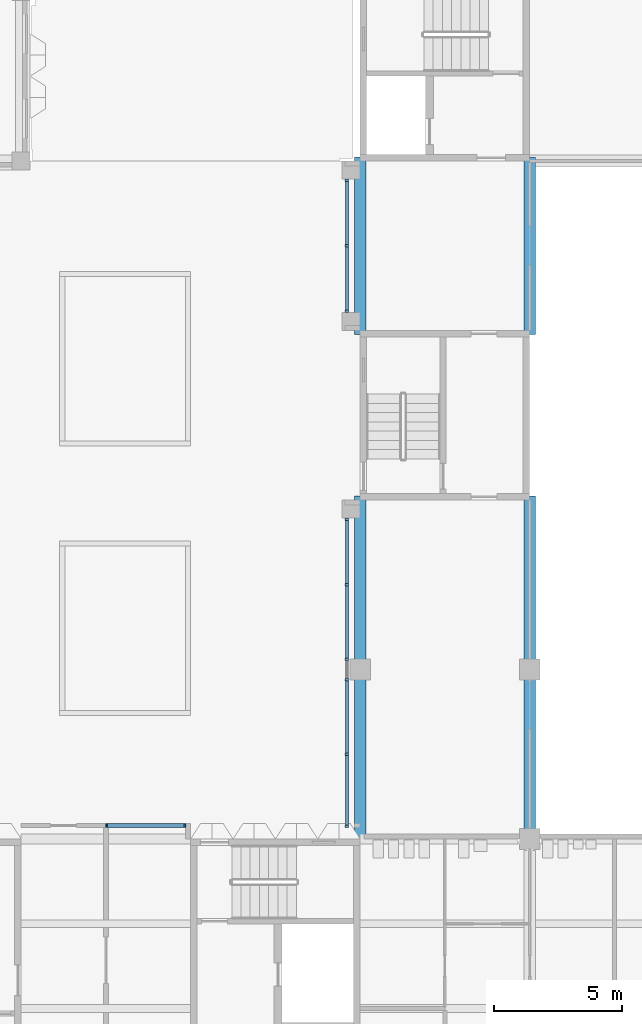
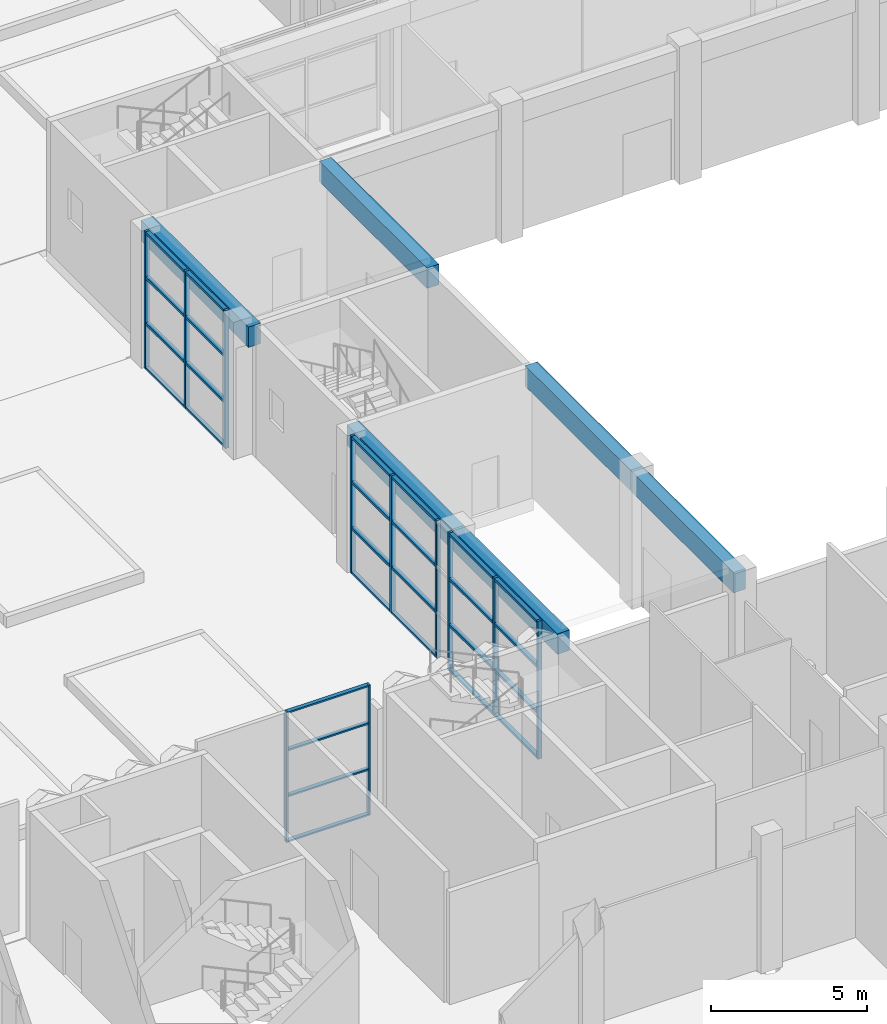
# One storey, part 8 of 85: 39 members, 6 beams, 3 elements without a shape of their own.
"""IFC4 building model written with IfcOpenShell, lengths in metres."""

from ifc_helpers import new_model, si_unit, direction, frame, origin, origin_2d, place, context, subcontext, project, spatial, rectangle, extrude, material, material_profile, profile_set, type_object, element, aggregate, save


model = new_model("IFC4")

# Units and contexts
model_context = context("Model", 3, precision=1e-05, world=origin(), true_north=direction((0.0, 1.0)))
body_context = subcontext(model_context, "Body", "Model", "MODEL_VIEW")
ifc_project = project(units=[si_unit("LENGTHUNIT", "METRE"), si_unit("AREAUNIT", "SQUARE_METRE"), si_unit("VOLUMEUNIT", "CUBIC_METRE"), si_unit("PLANEANGLEUNIT", "RADIAN"), si_unit("MASSUNIT", "GRAM", prefix="KILO")], contexts=[model_context])

# Site, building, storey
site_placement = place(None, origin())
site = spatial("IfcSite", under=ifc_project, at=site_placement, CompositionType="ELEMENT")
building_placement = place(site_placement, origin())
building = spatial("IfcBuilding", under=site, at=building_placement, Name="Lantern Court Research Institute", CompositionType="ELEMENT")
storey_placement = place(building_placement, origin())
storey = spatial("IfcBuildingStorey", under=building, at=storey_placement, Name="L00", CompositionType="ELEMENT", Elevation=0.0)

# Beams
ifc_material_1 = material(Name="Concrete C40/50", Category="concrete")
ifc_material_profile_1 = material_profile(ifc_material_1, rectangle(XDim=0.449951171875, YDim=0.800048828125, at=origin_2d()), Name="Hall beam 450 x 800")
ifc_profile_set_1 = profile_set([ifc_material_profile_1], Name="Concrete C40/50")
beam_type = type_object("IfcBeamType", Name="Hall beam 450 x 800", PredefinedType="BEAM", material=ifc_profile_set_1)
for number, where, z_axis, x_axis, name in (
    (1, (39.60009765625, 22.949951171875, 4.75), (0.0, 1.0, 0.0), (-1.0, 0.0, 0.0), "Gallery beam L01"),
    (2, (39.60009765625, 29.699951171875, 4.75), (0.0, 1.0, 0.0), (-1.0, 0.0, 0.0), "Gallery beam L01"),
):
    element("IfcBeam", number, at=place(storey_placement, frame(where, z_axis=z_axis, x_axis=x_axis)), inside=storey, type_object=beam_type, Name=name, PredefinedType="BEAM", context=body_context, shape_type="SweptSolid", body=[
        extrude(rectangle(XDim=0.449951171875, YDim=0.800048828125, at=origin_2d()), origin(), (0.0, 0.0, 1.0), 6.75),
    ])
beam_1_placement = place(storey_placement, frame((39.60009765625, 42.75, 4.75), z_axis=(0.0, 1.0, 0.0), x_axis=(-1.0, 0.0, 0.0)))
element("IfcBeam", 3, at=beam_1_placement, inside=storey, type_object=beam_type, Name="Gallery beam L01", PredefinedType="BEAM", context=body_context, shape_type="SweptSolid", body=[
    extrude(rectangle(XDim=0.449951171875, YDim=0.800048828125, at=origin_2d()), origin(), (0.0, 0.0, 1.0), 6.89990234375),
])
beam_2_placement = place(storey_placement, frame((46.199951171875, 23.10009765625, 4.75), z_axis=(0.0, 1.0, 0.0), x_axis=(-1.0, 0.0, 0.0)))
element("IfcBeam", 4, at=beam_2_placement, inside=storey, type_object=beam_type, Name="Gallery beam L01", PredefinedType="BEAM", context=body_context, shape_type="SweptSolid", body=[
    extrude(rectangle(XDim=0.449951171875, YDim=0.800048828125, at=origin_2d()), origin(), (0.0, 0.0, 1.0), 6.599853515625),
])
beam_3_placement = place(storey_placement, frame((46.199951171875, 29.699951171875, 4.75), z_axis=(0.0, 1.0, 0.0), x_axis=(-1.0, 0.0, 0.0)))
element("IfcBeam", 5, at=beam_3_placement, inside=storey, type_object=beam_type, Name="Gallery beam L01", PredefinedType="BEAM", context=body_context, shape_type="SweptSolid", body=[
    extrude(rectangle(XDim=0.449951171875, YDim=0.800048828125, at=origin_2d()), origin(), (0.0, 0.0, 1.0), 6.75),
])
beam_4_placement = place(storey_placement, frame((46.199951171875, 42.75, 4.75), z_axis=(0.0, 1.0, 0.0), x_axis=(-1.0, 0.0, 0.0)))
element("IfcBeam", 6, at=beam_4_placement, inside=storey, type_object=beam_type, Name="Gallery beam L01", PredefinedType="BEAM", context=body_context, shape_type="SweptSolid", body=[
    extrude(rectangle(XDim=0.449951171875, YDim=0.800048828125, at=origin_2d()), origin(), (0.0, 0.0, 1.0), 6.89990234375),
])

# Curtain wall, members
ifc_material_2 = material(Name="Aluminium alloy 6063-T6", Category="aluminium")
curtain_wall_type_1 = type_object("IfcCurtainWallType", Name="Curtain wall 12050 x 5400 x 150 aluminium frame", PredefinedType="NOTDEFINED", material=ifc_material_2)
curtain_wall_1_placement = place(storey_placement, origin())
curtain_wall_1 = element("IfcCurtainWall", 7, at=curtain_wall_1_placement, inside=storey, type_object=curtain_wall_type_1, Name="Curtain wall CW004", PredefinedType="NOTDEFINED")
ifc_material_3 = material(Name="Aluminium alloy 6063-T6", Category="aluminium")
ifc_material_profile_2 = material_profile(ifc_material_3, rectangle(XDim=0.14990234375, YDim=0.10009765625, at=origin_2d()), Name="Mullion 150 x 100")
ifc_profile_set_2 = profile_set([ifc_material_profile_2], Name="Aluminium alloy 6063-T6")
member_type_1 = type_object("IfcMemberType", Name="Mullion 150 x 100 aluminium", PredefinedType="MULLION", material=ifc_profile_set_2)
member_1_placement = place(storey_placement, frame((39.074951171875, 23.60009765625, 0.0), z_axis=(0.0, 0.0, 1.0), x_axis=(-1.0, 0.0, 0.0)))
member_1 = element("IfcMember", 8, at=member_1_placement, type_object=member_type_1, Name="CW004 mullion 1", PredefinedType="MULLION", context=body_context, shape_type="SweptSolid", body=[
    extrude(rectangle(XDim=0.14990234375, YDim=0.10009765625, at=origin_2d()), origin(), (0.0, 0.0, 1.0), 5.39990234375),
])
member_2_placement = place(storey_placement, frame((39.074951171875, 26.39990234375, 0.0), z_axis=(0.0, 0.0, 1.0), x_axis=(-1.0, 0.0, 0.0)))
member_2 = element("IfcMember", 9, at=member_2_placement, type_object=member_type_1, Name="CW004 mullion 2", PredefinedType="MULLION", context=body_context, shape_type="SweptSolid", body=[
    extrude(rectangle(XDim=0.14990234375, YDim=0.10009765625, at=origin_2d()), origin(), (0.0, 0.0, 1.0), 5.39990234375),
])
member_3_placement = place(storey_placement, frame((39.074951171875, 29.300048828125, 0.0), z_axis=(0.0, 0.0, 1.0), x_axis=(-1.0, 0.0, 0.0)))
member_3 = element("IfcMember", 10, at=member_3_placement, type_object=member_type_1, Name="CW004 mullion 3", PredefinedType="MULLION", context=body_context, shape_type="SweptSolid", body=[
    extrude(rectangle(XDim=0.14990234375, YDim=0.10009765625, at=origin_2d()), origin(), (0.0, 0.0, 1.0), 5.39990234375),
])
member_4_placement = place(storey_placement, frame((39.074951171875, 30.10009765625, 0.0), z_axis=(0.0, 0.0, 1.0), x_axis=(-1.0, 0.0, 0.0)))
member_4 = element("IfcMember", 11, at=member_4_placement, type_object=member_type_1, Name="CW004 mullion 4", PredefinedType="MULLION", context=body_context, shape_type="SweptSolid", body=[
    extrude(rectangle(XDim=0.14990234375, YDim=0.10009765625, at=origin_2d()), origin(), (0.0, 0.0, 1.0), 5.39990234375),
])
member_5_placement = place(storey_placement, frame((39.074951171875, 33.0, 0.0), z_axis=(0.0, 0.0, 1.0), x_axis=(-1.0, 0.0, 0.0)))
member_5 = element("IfcMember", 12, at=member_5_placement, type_object=member_type_1, Name="CW004 mullion 5", PredefinedType="MULLION", context=body_context, shape_type="SweptSolid", body=[
    extrude(rectangle(XDim=0.14990234375, YDim=0.10009765625, at=origin_2d()), origin(), (0.0, 0.0, 1.0), 5.39990234375),
])
member_6_placement = place(storey_placement, frame((39.074951171875, 35.550048828125, 0.0), z_axis=(0.0, 0.0, 1.0), x_axis=(-1.0, 0.0, 0.0)))
member_6 = element("IfcMember", 13, at=member_6_placement, type_object=member_type_1, Name="CW004 mullion 6", PredefinedType="MULLION", context=body_context, shape_type="SweptSolid", body=[
    extrude(rectangle(XDim=0.14990234375, YDim=0.10009765625, at=origin_2d()), origin(), (0.0, 0.0, 1.0), 5.39990234375),
])

ifc_material_4 = material(Name="Aluminium alloy 6063-T6", Category="aluminium")
curtain_wall_type_2 = type_object("IfcCurtainWallType", Name="Curtain wall 5200 x 5400 x 150 aluminium frame", PredefinedType="NOTDEFINED", material=ifc_material_4)
curtain_wall_2_placement = place(storey_placement, origin())
curtain_wall_2 = element("IfcCurtainWall", 14, at=curtain_wall_2_placement, inside=storey, type_object=curtain_wall_type_2, Name="Curtain wall CW005", PredefinedType="NOTDEFINED")
member_7_placement = place(storey_placement, frame((39.074951171875, 43.64990234375, 0.0), z_axis=(0.0, 0.0, 1.0), x_axis=(-1.0, 0.0, 0.0)))
member_7 = element("IfcMember", 15, at=member_7_placement, type_object=member_type_1, Name="CW005 mullion 1", PredefinedType="MULLION", context=body_context, shape_type="SweptSolid", body=[
    extrude(rectangle(XDim=0.14990234375, YDim=0.10009765625, at=origin_2d()), origin(), (0.0, 0.0, 1.0), 5.39990234375),
])
member_8_placement = place(storey_placement, frame((39.074951171875, 46.199951171875, 0.0), z_axis=(0.0, 0.0, 1.0), x_axis=(-1.0, 0.0, 0.0)))
member_8 = element("IfcMember", 16, at=member_8_placement, type_object=member_type_1, Name="CW005 mullion 2", PredefinedType="MULLION", context=body_context, shape_type="SweptSolid", body=[
    extrude(rectangle(XDim=0.14990234375, YDim=0.10009765625, at=origin_2d()), origin(), (0.0, 0.0, 1.0), 5.39990234375),
])
member_9_placement = place(storey_placement, frame((39.074951171875, 48.75, 0.0), z_axis=(0.0, 0.0, 1.0), x_axis=(-1.0, 0.0, 0.0)))
member_9 = element("IfcMember", 17, at=member_9_placement, type_object=member_type_1, Name="CW005 mullion 3", PredefinedType="MULLION", context=body_context, shape_type="SweptSolid", body=[
    extrude(rectangle(XDim=0.14990234375, YDim=0.10009765625, at=origin_2d()), origin(), (0.0, 0.0, 1.0), 5.39990234375),
])

ifc_material_5 = material(Name="Aluminium alloy 6063-T6", Category="aluminium")
curtain_wall_type_3 = type_object("IfcCurtainWallType", Name="Curtain wall 3100 x 5100 x 150 aluminium frame", PredefinedType="NOTDEFINED", material=ifc_material_5)
curtain_wall_3_placement = place(storey_placement, origin())
curtain_wall_3 = element("IfcCurtainWall", 18, at=curtain_wall_3_placement, inside=storey, type_object=curtain_wall_type_3, Name="Curtain wall CW007", PredefinedType="NOTDEFINED")
ifc_material_6 = material(Name="Aluminium alloy 6063-T6", Category="aluminium")
ifc_material_profile_3 = material_profile(ifc_material_6, rectangle(XDim=0.14990234375, YDim=0.06005859375, at=origin_2d()), Name="Mullion 150 x 60")
ifc_profile_set_3 = profile_set([ifc_material_profile_3], Name="Aluminium alloy 6063-T6")
member_type_2 = type_object("IfcMemberType", Name="Mullion 150 x 60 aluminium", PredefinedType="MULLION", material=ifc_profile_set_3)
member_10_placement = place(storey_placement, frame((29.72998046875, 23.625, 0.0), z_axis=(0.0, 0.0, 1.0), x_axis=(0.0, 1.0, 0.0)))
member_10 = element("IfcMember", 19, at=member_10_placement, type_object=member_type_2, Name="CW007 mullion 1", PredefinedType="MULLION", context=body_context, shape_type="SweptSolid", body=[
    extrude(rectangle(XDim=0.14990234375, YDim=0.06005859375, at=origin_2d()), origin(), (0.0, 0.0, 1.0), 5.10009765625),
])
member_11_placement = place(storey_placement, frame((32.77001953125, 23.625, 0.0), z_axis=(0.0, 0.0, 1.0), x_axis=(0.0, 1.0, 0.0)))
member_11 = element("IfcMember", 20, at=member_11_placement, type_object=member_type_2, Name="CW007 mullion 2", PredefinedType="MULLION", context=body_context, shape_type="SweptSolid", body=[
    extrude(rectangle(XDim=0.14990234375, YDim=0.06005859375, at=origin_2d()), origin(), (0.0, 0.0, 1.0), 5.10009765625),
])

# Member
ifc_material_7 = material(Name="Aluminium alloy 6063-T6", Category="aluminium")
ifc_material_profile_4 = material_profile(ifc_material_7, rectangle(XDim=0.14990234375, YDim=0.10009765625, at=origin_2d()), Name="Transom 150 x 100")
ifc_profile_set_4 = profile_set([ifc_material_profile_4], Name="Aluminium alloy 6063-T6")
member_type_3 = type_object("IfcMemberType", Name="Transom 150 x 100 aluminium", PredefinedType="USERDEFINED", material=ifc_profile_set_4)
member_12_placement = place(storey_placement, frame((39.074951171875, 23.64990234375, 0.050048828125), z_axis=(0.0, 1.0, 0.0), x_axis=(-1.0, 0.0, 0.0)))
member_12 = element("IfcMember", 21, at=member_12_placement, type_object=member_type_3, Name="CW004 transom 1.1", ObjectType="TRANSOM", PredefinedType="USERDEFINED", context=body_context, shape_type="SweptSolid", body=[
    extrude(rectangle(XDim=0.14990234375, YDim=0.10009765625, at=origin_2d()), origin(), (0.0, 0.0, 1.0), 2.7001953125),
])

member_13_placement = place(storey_placement, frame((39.074951171875, 23.64990234375, 1.800048828125), z_axis=(0.0, 1.0, 0.0), x_axis=(-1.0, 0.0, 0.0)))
member_13 = element("IfcMember", 22, at=member_13_placement, type_object=member_type_3, Name="CW004 transom 1.2", ObjectType="TRANSOM", PredefinedType="USERDEFINED", context=body_context, shape_type="SweptSolid", body=[
    extrude(rectangle(XDim=0.14990234375, YDim=0.10009765625, at=origin_2d()), origin(), (0.0, 0.0, 1.0), 2.7001953125),
])

member_14_placement = place(storey_placement, frame((39.074951171875, 23.64990234375, 3.60009765625), z_axis=(0.0, 1.0, 0.0), x_axis=(-1.0, 0.0, 0.0)))
member_14 = element("IfcMember", 23, at=member_14_placement, type_object=member_type_3, Name="CW004 transom 1.3", ObjectType="TRANSOM", PredefinedType="USERDEFINED", context=body_context, shape_type="SweptSolid", body=[
    extrude(rectangle(XDim=0.14990234375, YDim=0.10009765625, at=origin_2d()), origin(), (0.0, 0.0, 1.0), 2.7001953125),
])

member_15_placement = place(storey_placement, frame((39.074951171875, 23.64990234375, 5.35009765625), z_axis=(0.0, 1.0, 0.0), x_axis=(-1.0, 0.0, 0.0)))
member_15 = element("IfcMember", 24, at=member_15_placement, type_object=member_type_3, Name="CW004 transom 1.4", ObjectType="TRANSOM", PredefinedType="USERDEFINED", context=body_context, shape_type="SweptSolid", body=[
    extrude(rectangle(XDim=0.14990234375, YDim=0.10009765625, at=origin_2d()), origin(), (0.0, 0.0, 1.0), 2.7001953125),
])

member_16_placement = place(storey_placement, frame((39.074951171875, 26.449951171875, 0.050048828125), z_axis=(0.0, 1.0, 0.0), x_axis=(-1.0, 0.0, 0.0)))
member_16 = element("IfcMember", 25, at=member_16_placement, type_object=member_type_3, Name="CW004 transom 2.1", ObjectType="TRANSOM", PredefinedType="USERDEFINED", context=body_context, shape_type="SweptSolid", body=[
    extrude(rectangle(XDim=0.14990234375, YDim=0.10009765625, at=origin_2d()), origin(), (0.0, 0.0, 1.0), 2.800048828125),
])

member_17_placement = place(storey_placement, frame((39.074951171875, 26.449951171875, 1.800048828125), z_axis=(0.0, 1.0, 0.0), x_axis=(-1.0, 0.0, 0.0)))
member_17 = element("IfcMember", 26, at=member_17_placement, type_object=member_type_3, Name="CW004 transom 2.2", ObjectType="TRANSOM", PredefinedType="USERDEFINED", context=body_context, shape_type="SweptSolid", body=[
    extrude(rectangle(XDim=0.14990234375, YDim=0.10009765625, at=origin_2d()), origin(), (0.0, 0.0, 1.0), 2.800048828125),
])

member_18_placement = place(storey_placement, frame((39.074951171875, 26.449951171875, 3.60009765625), z_axis=(0.0, 1.0, 0.0), x_axis=(-1.0, 0.0, 0.0)))
member_18 = element("IfcMember", 27, at=member_18_placement, type_object=member_type_3, Name="CW004 transom 2.3", ObjectType="TRANSOM", PredefinedType="USERDEFINED", context=body_context, shape_type="SweptSolid", body=[
    extrude(rectangle(XDim=0.14990234375, YDim=0.10009765625, at=origin_2d()), origin(), (0.0, 0.0, 1.0), 2.800048828125),
])

member_19_placement = place(storey_placement, frame((39.074951171875, 26.449951171875, 5.35009765625), z_axis=(0.0, 1.0, 0.0), x_axis=(-1.0, 0.0, 0.0)))
member_19 = element("IfcMember", 28, at=member_19_placement, type_object=member_type_3, Name="CW004 transom 2.4", ObjectType="TRANSOM", PredefinedType="USERDEFINED", context=body_context, shape_type="SweptSolid", body=[
    extrude(rectangle(XDim=0.14990234375, YDim=0.10009765625, at=origin_2d()), origin(), (0.0, 0.0, 1.0), 2.800048828125),
])

member_20_placement = place(storey_placement, frame((39.074951171875, 30.14990234375, 0.050048828125), z_axis=(0.0, 1.0, 0.0), x_axis=(-1.0, 0.0, 0.0)))
member_20 = element("IfcMember", 29, at=member_20_placement, type_object=member_type_3, Name="CW004 transom 4.1", ObjectType="TRANSOM", PredefinedType="USERDEFINED", context=body_context, shape_type="SweptSolid", body=[
    extrude(rectangle(XDim=0.14990234375, YDim=0.10009765625, at=origin_2d()), origin(), (0.0, 0.0, 1.0), 2.800048828125),
])

member_21_placement = place(storey_placement, frame((39.074951171875, 30.14990234375, 1.800048828125), z_axis=(0.0, 1.0, 0.0), x_axis=(-1.0, 0.0, 0.0)))
member_21 = element("IfcMember", 30, at=member_21_placement, type_object=member_type_3, Name="CW004 transom 4.2", ObjectType="TRANSOM", PredefinedType="USERDEFINED", context=body_context, shape_type="SweptSolid", body=[
    extrude(rectangle(XDim=0.14990234375, YDim=0.10009765625, at=origin_2d()), origin(), (0.0, 0.0, 1.0), 2.800048828125),
])

member_22_placement = place(storey_placement, frame((39.074951171875, 30.14990234375, 3.60009765625), z_axis=(0.0, 1.0, 0.0), x_axis=(-1.0, 0.0, 0.0)))
member_22 = element("IfcMember", 31, at=member_22_placement, type_object=member_type_3, Name="CW004 transom 4.3", ObjectType="TRANSOM", PredefinedType="USERDEFINED", context=body_context, shape_type="SweptSolid", body=[
    extrude(rectangle(XDim=0.14990234375, YDim=0.10009765625, at=origin_2d()), origin(), (0.0, 0.0, 1.0), 2.800048828125),
])

member_23_placement = place(storey_placement, frame((39.074951171875, 30.14990234375, 5.35009765625), z_axis=(0.0, 1.0, 0.0), x_axis=(-1.0, 0.0, 0.0)))
member_23 = element("IfcMember", 32, at=member_23_placement, type_object=member_type_3, Name="CW004 transom 4.4", ObjectType="TRANSOM", PredefinedType="USERDEFINED", context=body_context, shape_type="SweptSolid", body=[
    extrude(rectangle(XDim=0.14990234375, YDim=0.10009765625, at=origin_2d()), origin(), (0.0, 0.0, 1.0), 2.800048828125),
])

member_24_placement = place(storey_placement, frame((39.074951171875, 33.050048828125, 0.050048828125), z_axis=(0.0, 1.0, 0.0), x_axis=(-1.0, 0.0, 0.0)))
member_24 = element("IfcMember", 33, at=member_24_placement, type_object=member_type_3, Name="CW004 transom 5.1", ObjectType="TRANSOM", PredefinedType="USERDEFINED", context=body_context, shape_type="SweptSolid", body=[
    extrude(rectangle(XDim=0.14990234375, YDim=0.10009765625, at=origin_2d()), origin(), (0.0, 0.0, 1.0), 2.449951171875),
])

member_25_placement = place(storey_placement, frame((39.074951171875, 33.050048828125, 1.800048828125), z_axis=(0.0, 1.0, 0.0), x_axis=(-1.0, 0.0, 0.0)))
member_25 = element("IfcMember", 34, at=member_25_placement, type_object=member_type_3, Name="CW004 transom 5.2", ObjectType="TRANSOM", PredefinedType="USERDEFINED", context=body_context, shape_type="SweptSolid", body=[
    extrude(rectangle(XDim=0.14990234375, YDim=0.10009765625, at=origin_2d()), origin(), (0.0, 0.0, 1.0), 2.449951171875),
])

member_26_placement = place(storey_placement, frame((39.074951171875, 33.050048828125, 3.60009765625), z_axis=(0.0, 1.0, 0.0), x_axis=(-1.0, 0.0, 0.0)))
member_26 = element("IfcMember", 35, at=member_26_placement, type_object=member_type_3, Name="CW004 transom 5.3", ObjectType="TRANSOM", PredefinedType="USERDEFINED", context=body_context, shape_type="SweptSolid", body=[
    extrude(rectangle(XDim=0.14990234375, YDim=0.10009765625, at=origin_2d()), origin(), (0.0, 0.0, 1.0), 2.449951171875),
])

member_27_placement = place(storey_placement, frame((39.074951171875, 33.050048828125, 5.35009765625), z_axis=(0.0, 1.0, 0.0), x_axis=(-1.0, 0.0, 0.0)))
member_27 = element("IfcMember", 36, at=member_27_placement, type_object=member_type_3, Name="CW004 transom 5.4", ObjectType="TRANSOM", PredefinedType="USERDEFINED", context=body_context, shape_type="SweptSolid", body=[
    extrude(rectangle(XDim=0.14990234375, YDim=0.10009765625, at=origin_2d()), origin(), (0.0, 0.0, 1.0), 2.449951171875),
])

aggregate(curtain_wall_1, [member_1, member_2, member_3, member_4, member_5, member_6, member_12, member_13, member_14, member_15, member_16, member_17, member_18, member_19, member_20, member_21, member_22, member_23, member_24, member_25, member_26, member_27])

member_28_placement = place(storey_placement, frame((39.074951171875, 43.699951171875, 0.050048828125), z_axis=(0.0, 1.0, 0.0), x_axis=(-1.0, 0.0, 0.0)))
member_28 = element("IfcMember", 37, at=member_28_placement, type_object=member_type_3, Name="CW005 transom 1.1", ObjectType="TRANSOM", PredefinedType="USERDEFINED", context=body_context, shape_type="SweptSolid", body=[
    extrude(rectangle(XDim=0.14990234375, YDim=0.10009765625, at=origin_2d()), origin(), (0.0, 0.0, 1.0), 2.449951171875),
])

member_29_placement = place(storey_placement, frame((39.074951171875, 43.699951171875, 1.800048828125), z_axis=(0.0, 1.0, 0.0), x_axis=(-1.0, 0.0, 0.0)))
member_29 = element("IfcMember", 38, at=member_29_placement, type_object=member_type_3, Name="CW005 transom 1.2", ObjectType="TRANSOM", PredefinedType="USERDEFINED", context=body_context, shape_type="SweptSolid", body=[
    extrude(rectangle(XDim=0.14990234375, YDim=0.10009765625, at=origin_2d()), origin(), (0.0, 0.0, 1.0), 2.449951171875),
])

member_30_placement = place(storey_placement, frame((39.074951171875, 43.699951171875, 3.60009765625), z_axis=(0.0, 1.0, 0.0), x_axis=(-1.0, 0.0, 0.0)))
member_30 = element("IfcMember", 39, at=member_30_placement, type_object=member_type_3, Name="CW005 transom 1.3", ObjectType="TRANSOM", PredefinedType="USERDEFINED", context=body_context, shape_type="SweptSolid", body=[
    extrude(rectangle(XDim=0.14990234375, YDim=0.10009765625, at=origin_2d()), origin(), (0.0, 0.0, 1.0), 2.449951171875),
])

member_31_placement = place(storey_placement, frame((39.074951171875, 43.699951171875, 5.35009765625), z_axis=(0.0, 1.0, 0.0), x_axis=(-1.0, 0.0, 0.0)))
member_31 = element("IfcMember", 40, at=member_31_placement, type_object=member_type_3, Name="CW005 transom 1.4", ObjectType="TRANSOM", PredefinedType="USERDEFINED", context=body_context, shape_type="SweptSolid", body=[
    extrude(rectangle(XDim=0.14990234375, YDim=0.10009765625, at=origin_2d()), origin(), (0.0, 0.0, 1.0), 2.449951171875),
])

member_32_placement = place(storey_placement, frame((39.074951171875, 46.25, 0.050048828125), z_axis=(0.0, 1.0, 0.0), x_axis=(-1.0, 0.0, 0.0)))
member_32 = element("IfcMember", 41, at=member_32_placement, type_object=member_type_3, Name="CW005 transom 2.1", ObjectType="TRANSOM", PredefinedType="USERDEFINED", context=body_context, shape_type="SweptSolid", body=[
    extrude(rectangle(XDim=0.14990234375, YDim=0.10009765625, at=origin_2d()), origin(), (0.0, 0.0, 1.0), 2.449951171875),
])

member_33_placement = place(storey_placement, frame((39.074951171875, 46.25, 1.800048828125), z_axis=(0.0, 1.0, 0.0), x_axis=(-1.0, 0.0, 0.0)))
member_33 = element("IfcMember", 42, at=member_33_placement, type_object=member_type_3, Name="CW005 transom 2.2", ObjectType="TRANSOM", PredefinedType="USERDEFINED", context=body_context, shape_type="SweptSolid", body=[
    extrude(rectangle(XDim=0.14990234375, YDim=0.10009765625, at=origin_2d()), origin(), (0.0, 0.0, 1.0), 2.449951171875),
])

member_34_placement = place(storey_placement, frame((39.074951171875, 46.25, 3.60009765625), z_axis=(0.0, 1.0, 0.0), x_axis=(-1.0, 0.0, 0.0)))
member_34 = element("IfcMember", 43, at=member_34_placement, type_object=member_type_3, Name="CW005 transom 2.3", ObjectType="TRANSOM", PredefinedType="USERDEFINED", context=body_context, shape_type="SweptSolid", body=[
    extrude(rectangle(XDim=0.14990234375, YDim=0.10009765625, at=origin_2d()), origin(), (0.0, 0.0, 1.0), 2.449951171875),
])

member_35_placement = place(storey_placement, frame((39.074951171875, 46.25, 5.35009765625), z_axis=(0.0, 1.0, 0.0), x_axis=(-1.0, 0.0, 0.0)))
member_35 = element("IfcMember", 44, at=member_35_placement, type_object=member_type_3, Name="CW005 transom 2.4", ObjectType="TRANSOM", PredefinedType="USERDEFINED", context=body_context, shape_type="SweptSolid", body=[
    extrude(rectangle(XDim=0.14990234375, YDim=0.10009765625, at=origin_2d()), origin(), (0.0, 0.0, 1.0), 2.449951171875),
])

aggregate(curtain_wall_2, [member_7, member_8, member_9, member_28, member_29, member_30, member_31, member_32, member_33, member_34, member_35])

ifc_material_8 = material(Name="Aluminium alloy 6063-T6", Category="aluminium")
ifc_material_profile_5 = material_profile(ifc_material_8, rectangle(XDim=0.14990234375, YDim=0.06005859375, at=origin_2d()), Name="Transom 150 x 60")
ifc_profile_set_5 = profile_set([ifc_material_profile_5], Name="Aluminium alloy 6063-T6")
member_type_4 = type_object("IfcMemberType", Name="Transom 150 x 60 aluminium", PredefinedType="USERDEFINED", material=ifc_profile_set_5)
member_36_placement = place(storey_placement, frame((29.760009765625, 23.625, 0.030029296875), z_axis=(1.0, 0.0, 0.0), x_axis=(0.0, 1.0, 0.0)))
member_36 = element("IfcMember", 45, at=member_36_placement, type_object=member_type_4, Name="CW007 transom 1.1", ObjectType="TRANSOM", PredefinedType="USERDEFINED", context=body_context, shape_type="SweptSolid", body=[
    extrude(rectangle(XDim=0.14990234375, YDim=0.06005859375, at=origin_2d()), origin(), (0.0, 0.0, 1.0), 2.97998046875),
])

member_37_placement = place(storey_placement, frame((29.760009765625, 23.625, 1.800048828125), z_axis=(1.0, 0.0, 0.0), x_axis=(0.0, 1.0, 0.0)))
member_37 = element("IfcMember", 46, at=member_37_placement, type_object=member_type_4, Name="CW007 transom 1.2", ObjectType="TRANSOM", PredefinedType="USERDEFINED", context=body_context, shape_type="SweptSolid", body=[
    extrude(rectangle(XDim=0.14990234375, YDim=0.06005859375, at=origin_2d()), origin(), (0.0, 0.0, 1.0), 2.97998046875),
])

member_38_placement = place(storey_placement, frame((29.760009765625, 23.625, 3.60009765625), z_axis=(1.0, 0.0, 0.0), x_axis=(0.0, 1.0, 0.0)))
member_38 = element("IfcMember", 47, at=member_38_placement, type_object=member_type_4, Name="CW007 transom 1.3", ObjectType="TRANSOM", PredefinedType="USERDEFINED", context=body_context, shape_type="SweptSolid", body=[
    extrude(rectangle(XDim=0.14990234375, YDim=0.06005859375, at=origin_2d()), origin(), (0.0, 0.0, 1.0), 2.97998046875),
])

member_39_placement = place(storey_placement, frame((29.760009765625, 23.625, 5.070068359375), z_axis=(1.0, 0.0, 0.0), x_axis=(0.0, 1.0, 0.0)))
member_39 = element("IfcMember", 48, at=member_39_placement, type_object=member_type_4, Name="CW007 transom 1.4", ObjectType="TRANSOM", PredefinedType="USERDEFINED", context=body_context, shape_type="SweptSolid", body=[
    extrude(rectangle(XDim=0.14990234375, YDim=0.06005859375, at=origin_2d()), origin(), (0.0, 0.0, 1.0), 2.97998046875),
])

aggregate(curtain_wall_3, [member_10, member_11, member_36, member_37, member_38, member_39])

save(model, "model.ifc")
